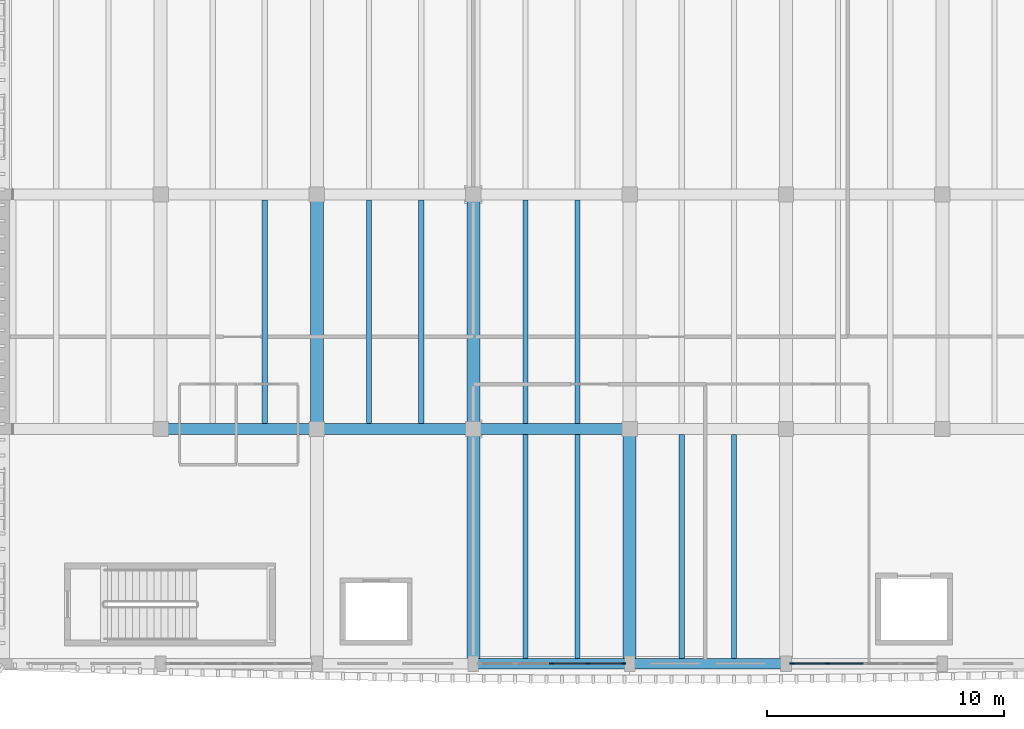
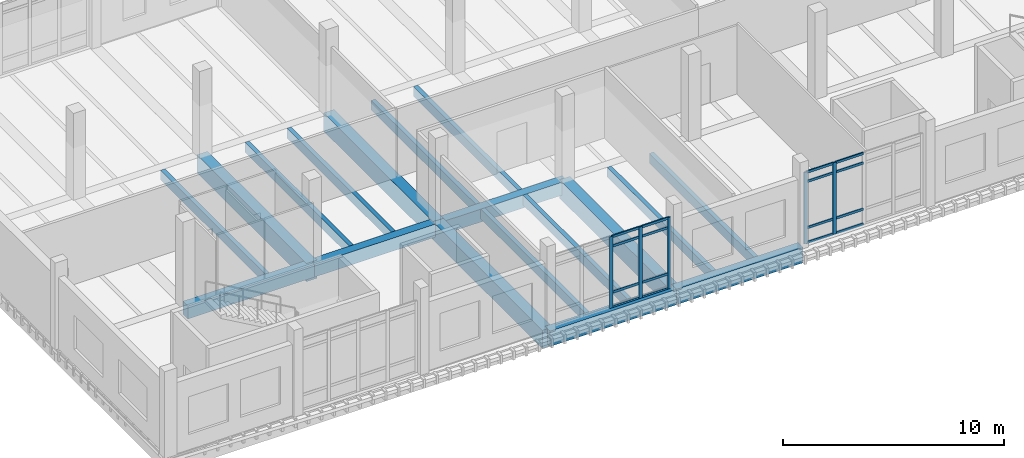
# One storey, part 9 of 39: 21 members, 18 beams, 2 elements without a shape of their own.
"""IFC4 building model written with IfcOpenShell, lengths in metres."""

import ifcopenshell
import ifcopenshell.guid

model = None  # the IFC model being written
_history = None  # IfcOwnerHistory: only IFC2X3 demands one
_inside = {}  # id of a spatial element -> (the spatial element, [elements in it])
_under = {}  # id of a project, library or spatial element -> (it, [spatial elements below it])
_declared = {}  # id of a project -> (the project, [libraries it declares])
_typed = {}  # id of a type object -> (the type object, [elements of that type])
_made_of = {}  # id of a material, layer set ... -> (it, [elements and type objects made of it])


def new_model(schema):
    """Start an empty IFC model of exactly this schema.

    Asked for "IFC4X3", IfcOpenShell would pick the latest addendum, in which some entities
    have other attributes; the version numbers below select the first issue.
    IFC2X3 requires an IfcOwnerHistory on every rooted entity: one is made here for all.
    """
    global model, _history
    if schema == "IFC4X3":
        model = ifcopenshell.file(schema_version=(4, 3, 0, 0))
    else:
        model = ifcopenshell.file(schema=schema)
    _inside.clear()
    _under.clear()
    _declared.clear()
    _typed.clear()
    _made_of.clear()
    _history = None
    if model.schema == "IFC2X3":
        org = make("IfcOrganization", Name="unknown")
        user = make(
            "IfcPersonAndOrganization",
            ThePerson=make("IfcPerson", FamilyName="unknown"),
            TheOrganization=org,
        )
        app = make(
            "IfcApplication",
            ApplicationDeveloper=org,
            Version="unknown",
            ApplicationFullName="unknown",
            ApplicationIdentifier="unknown",
        )
        _history = make(
            "IfcOwnerHistory",
            OwningUser=user,
            OwningApplication=app,
            ChangeAction="ADDED",
            CreationDate=0,
        )
    return model


def make(cls, **values):
    """One entity of the class cls with the attributes given. An attribute that is None is left unset."""
    return model.create_entity(
        cls, **{name: value for name, value in values.items() if value is not None}
    )


def rooted(cls, **values):
    """An entity with a GlobalId (a new one), such as an element, a storey or a relation."""
    return make(cls, GlobalId=ifcopenshell.guid.new(), OwnerHistory=_history, **values)


def si_unit(unit_type, name, prefix=None):
    """IfcSIUnit, for example si_unit("LENGTHUNIT", "METRE", prefix="MILLI")."""
    return make("IfcSIUnit", UnitType=unit_type, Prefix=prefix, Name=name)


def assignment(units):
    """IfcUnitAssignment: the units of a project."""
    return None if units is None else make("IfcUnitAssignment", Units=units)


def point(xyz):
    """IfcCartesianPoint."""
    return None if xyz is None else make("IfcCartesianPoint", Coordinates=xyz)


def direction(xyz):
    """IfcDirection."""
    return None if xyz is None else make("IfcDirection", DirectionRatios=xyz)


def frame(location, z_axis=None, x_axis=None):
    """IfcAxis2Placement3D, a coordinate frame: its origin and axes. An axis left out is left unset."""
    return make(
        "IfcAxis2Placement3D",
        Location=point(location),
        Axis=direction(z_axis),
        RefDirection=direction(x_axis),
    )


def frame_2d(location, x_axis=None):
    """IfcAxis2Placement2D, a coordinate frame in the plane: its origin and x axis."""
    return make(
        "IfcAxis2Placement2D", Location=point(location), RefDirection=direction(x_axis)
    )


def origin():
    """The frame at (0, 0, 0) with its axes left unset."""
    return frame((0.0, 0.0, 0.0))


def origin_2d():
    """The frame at (0, 0) in the plane with its x axis left unset."""
    return frame_2d((0.0, 0.0))


def place(relative_to, where):
    """IfcLocalPlacement: puts the frame where relative to a parent placement (None: the world)."""
    return make(
        "IfcLocalPlacement", PlacementRelTo=relative_to, RelativePlacement=where
    )


def context(
    kind, dimensions, precision=None, world=None, true_north=None, identifier=None
):
    """IfcGeometricRepresentationContext, for example the 3D "Model" context."""
    return make(
        "IfcGeometricRepresentationContext",
        ContextIdentifier=identifier,
        ContextType=kind,
        CoordinateSpaceDimension=dimensions,
        Precision=precision,
        WorldCoordinateSystem=world,
        TrueNorth=true_north,
    )


def subcontext(parent, identifier, kind, view, scale=None):
    """IfcGeometricRepresentationSubContext, for example "Body" below "Model"."""
    return make(
        "IfcGeometricRepresentationSubContext",
        ContextIdentifier=identifier,
        ContextType=kind,
        ParentContext=parent,
        TargetScale=scale,
        TargetView=view,
    )


def project(units=None, contexts=None):
    """IfcProject with its units and contexts."""
    return rooted(
        "IfcProject",
        Name="project",
        RepresentationContexts=contexts,
        UnitsInContext=assignment(units),
    )


def spatial(cls, under=None, at=None, **own):
    """A site, building, storey or space (cls), placed at a placement, below another one or the project."""
    s = rooted(cls, ObjectPlacement=at, **own)
    if under is not None:
        _under.setdefault(under.id(), (under, []))[1].append(s)
    return s


def profile(cls, at=None, kind="AREA", **sizes):
    """A parametric profile (cls). Its sizes go by their IFC names, for example OverallWidth=200.0."""
    return make(cls, ProfileType=kind, Position=at, **sizes)


def rectangle(**sizes):
    """IfcRectangleProfileDef."""
    return profile("IfcRectangleProfileDef", **sizes)


def extrude(swept, where, along, depth):
    """IfcExtrudedAreaSolid: the profile swept, set in the frame where, extruded along a direction by depth."""
    return make(
        "IfcExtrudedAreaSolid",
        SweptArea=swept,
        Position=where,
        ExtrudedDirection=direction(along),
        Depth=depth,
    )


def shape(context_of_items, identifier, shape_type, items):
    """IfcShapeRepresentation: the items that make up one representation, for example the "Body"."""
    return make(
        "IfcShapeRepresentation",
        ContextOfItems=context_of_items,
        RepresentationIdentifier=identifier,
        RepresentationType=shape_type,
        Items=items,
    )


def material(Name=None, Category=None):
    """IfcMaterial."""
    return make("IfcMaterial", Name=Name, Category=Category)


def material_profile(
    of_material, cross_section, Name=None, Category=None, Priority=None
):
    """IfcMaterialProfile: a cross section and its material."""
    return make(
        "IfcMaterialProfile",
        Name=Name,
        Material=of_material,
        Profile=cross_section,
        Priority=Priority,
        Category=Category,
    )


def profile_set(profiles, Name=None, composite=None):
    """IfcMaterialProfileSet."""
    return make(
        "IfcMaterialProfileSet",
        Name=Name,
        MaterialProfiles=profiles,
        CompositeProfile=composite,
    )


def made_of(thing, what):
    """Note that an element or type object is made of a material, layer set ...; save() writes the relation."""
    if what is not None:
        _made_of.setdefault(what.id(), (what, []))[1].append(thing)
    return thing


def type_object(cls, material=None, **own):
    """A type object (cls), such as IfcWallType, which elements share."""
    return made_of(rooted(cls, **own), material)


def element(
    cls,
    number,
    at=None,
    inside=None,
    cuts=None,
    type_object=None,
    material=None,
    context=None,
    identifier="Body",
    shape_type=None,
    held_by="IfcProductDefinitionShape",
    body=None,
    shapes=None,
    **own,
):
    """One element of the class cls, such as IfcWall. Its Tag is "e" and its number.

    at: its placement. inside: the storey or other place that contains it. cuts: it is an
    opening in that element (IfcRelVoidsElement). A single representation is given by context,
    identifier, shape_type and body (its items); several are given by shapes. held_by: the class
    of the entity that holds the representations. save() writes the other relations.
    """
    e = rooted(cls, Tag="e%d" % number, ObjectPlacement=at, **own)
    if body is not None:
        shapes = [shape(context, identifier, shape_type, body)]
    if shapes is not None:
        e.Representation = make(held_by, Representations=shapes)
    if inside is not None:
        _inside.setdefault(inside.id(), (inside, []))[1].append(e)
    if cuts is not None:
        rooted(
            "IfcRelVoidsElement", RelatingBuildingElement=cuts, RelatedOpeningElement=e
        )
    if type_object is not None:
        _typed.setdefault(type_object.id(), (type_object, []))[1].append(e)
    return made_of(e, material)


def aggregate(whole, parts):
    """IfcRelAggregates: a whole, such as a stair, and the parts it consists of."""
    return rooted("IfcRelAggregates", RelatingObject=whole, RelatedObjects=parts)


def save(model, path):
    """Write the relations noted so far, then the file.

    IfcRelAggregates (storeys below a building ...), IfcRelContainedInSpatialStructure (elements
    in a storey), IfcRelDefinesByType, IfcRelAssociatesMaterial and IfcRelDeclares: one each for
    every whole, place, type object, material and project.
    """
    for whole, parts in _under.values():
        aggregate(whole, parts)
    for where, things in _inside.values():
        rooted(
            "IfcRelContainedInSpatialStructure",
            RelatedElements=things,
            RelatingStructure=where,
        )
    for kind, things in _typed.values():
        rooted("IfcRelDefinesByType", RelatedObjects=things, RelatingType=kind)
    for what, things in _made_of.values():
        rooted("IfcRelAssociatesMaterial", RelatedObjects=things, RelatingMaterial=what)
    for by, libraries in _declared.values():
        rooted("IfcRelDeclares", RelatingContext=by, RelatedDefinitions=libraries)
    model.write(path)


model = new_model("IFC4")

# Units and contexts
model_context = context("Model", 3, precision=1e-05, world=origin(), true_north=direction((0.0, 1.0)))
body_context = subcontext(model_context, "Body", "Model", "MODEL_VIEW")
ifc_project = project(units=[si_unit("LENGTHUNIT", "METRE"), si_unit("AREAUNIT", "SQUARE_METRE"), si_unit("VOLUMEUNIT", "CUBIC_METRE"), si_unit("PLANEANGLEUNIT", "RADIAN"), si_unit("MASSUNIT", "GRAM", prefix="KILO")], contexts=[model_context])

# Site, building, storey
site_placement = place(None, origin())
site = spatial("IfcSite", under=ifc_project, at=site_placement, CompositionType="ELEMENT")
building_placement = place(site_placement, origin())
building = spatial("IfcBuilding", under=site, at=building_placement, Name="Dornvale Research Institute", CompositionType="ELEMENT")
storey_placement = place(building_placement, frame((0.0, 0.0, 24.60009765625)))
storey = spatial("IfcBuildingStorey", under=building, at=storey_placement, Name="L05", CompositionType="ELEMENT", Elevation=24.60009765625)

# Beams
ifc_material_1 = material(Name="Concrete f'c 45 MPa (C35/45)", Category="concrete")
ifc_material_profile_1 = material_profile(ifc_material_1, rectangle(XDim=0.449951171875, YDim=0.715087890625, at=origin_2d()), Name="RC 450x715")
ifc_profile_set_1 = profile_set([ifc_material_profile_1], Name="Concrete f'c 45 MPa (C35/45)")
beam_type_1 = type_object("IfcBeamType", Name="Beam_RC450x715_Lab", PredefinedType="BEAM", material=ifc_profile_set_1)
for number, where, z_axis, x_axis, name in (
    (1, (125.39990234375, 102.300048828125, -0.357666015625), (1.0, 0.0, 0.0), (0.0, 1.0, 0.0), "L05 primary girder #1390"),
    (2, (132.0, 102.300048828125, -0.357666015625), (1.0, 0.0, 0.0), (0.0, 1.0, 0.0), "L05 primary girder #1391"),
):
    element("IfcBeam", number, at=place(storey_placement, frame(where, z_axis=z_axis, x_axis=x_axis)), inside=storey, type_object=beam_type_1, Name=name, PredefinedType="BEAM", context=body_context, shape_type="SweptSolid", body=[
        extrude(rectangle(XDim=0.449951171875, YDim=0.715087890625, at=origin_2d()), origin(), (0.0, 0.0, 1.0), 6.60009765625),
    ])
beam_1_placement = place(storey_placement, frame((138.60009765625, 102.300048828125, -0.357666015625), z_axis=(1.0, 0.0, 0.0), x_axis=(0.0, 1.0, 0.0)))
element("IfcBeam", 3, at=beam_1_placement, inside=storey, type_object=beam_type_1, Name="L05 primary girder #1392", PredefinedType="BEAM", context=body_context, shape_type="SweptSolid", body=[
    extrude(rectangle(XDim=0.449951171875, YDim=0.715087890625, at=origin_2d()), origin(), (0.0, 0.0, 1.0), 6.599853515625),
])
ifc_material_2 = material(Name="Concrete f'c 45 MPa (C35/45)", Category="concrete")
ifc_material_profile_2 = material_profile(ifc_material_2, rectangle(XDim=0.550048828125, YDim=1.0, at=origin_2d()), Name="RC 550x1000")
ifc_profile_set_2 = profile_set([ifc_material_profile_2], Name="Concrete f'c 45 MPa (C35/45)")
beam_type_2 = type_object("IfcBeamType", Name="Beam_RC550x1000_Girder", PredefinedType="BEAM", material=ifc_profile_set_2)
beam_2_placement = place(storey_placement, frame((132.0, 102.300048828125, -0.5), z_axis=(0.0, 1.0, 0.0), x_axis=(-1.0, 0.0, 0.0)))
element("IfcBeam", 4, at=beam_2_placement, inside=storey, type_object=beam_type_2, Name="L05 transverse girder #1419", PredefinedType="BEAM", context=body_context, shape_type="SweptSolid", body=[
    extrude(rectangle(XDim=0.550048828125, YDim=1.0, at=origin_2d()), origin(), (0.0, 0.0, 1.0), 9.89990234375),
])
beam_3_placement = place(storey_placement, frame((138.60009765625, 92.39990234375, -0.5), z_axis=(0.0, 1.0, 0.0), x_axis=(-1.0, 0.0, 0.0)))
element("IfcBeam", 5, at=beam_3_placement, inside=storey, type_object=beam_type_2, Name="L05 transverse girder #1421", PredefinedType="BEAM", context=body_context, shape_type="SweptSolid", body=[
    extrude(rectangle(XDim=0.550048828125, YDim=1.0, at=origin_2d()), origin(), (0.0, 0.0, 1.0), 9.900146484375),
])
beam_4_placement = place(storey_placement, frame((138.60009765625, 102.300048828125, -0.5), z_axis=(0.0, 1.0, 0.0), x_axis=(-1.0, 0.0, 0.0)))
element("IfcBeam", 6, at=beam_4_placement, inside=storey, type_object=beam_type_2, Name="L05 transverse girder #1422", PredefinedType="BEAM", context=body_context, shape_type="SweptSolid", body=[
    extrude(rectangle(XDim=0.550048828125, YDim=1.0, at=origin_2d()), origin(), (0.0, 0.0, 1.0), 9.89990234375),
])
beam_5_placement = place(storey_placement, frame((145.199951171875, 92.39990234375, -0.5), z_axis=(0.0, 1.0, 0.0), x_axis=(-1.0, 0.0, 0.0)))
element("IfcBeam", 7, at=beam_5_placement, inside=storey, type_object=beam_type_2, Name="L05 transverse girder #1424", PredefinedType="BEAM", context=body_context, shape_type="SweptSolid", body=[
    extrude(rectangle(XDim=0.550048828125, YDim=1.0, at=origin_2d()), origin(), (0.0, 0.0, 1.0), 9.900146484375),
])
ifc_material_3 = material(Name="Concrete f'c 45 MPa (C35/45)", Category="concrete")
ifc_material_profile_3 = material_profile(ifc_material_3, rectangle(XDim=0.219970703125, YDim=0.534912109375, at=origin_2d()), Name="RC 220x535")
ifc_profile_set_3 = profile_set([ifc_material_profile_3], Name="Concrete f'c 45 MPa (C35/45)")
beam_type_3 = type_object("IfcBeamType", Name="Joist_RC220x535_Waffle", PredefinedType="JOIST", material=ifc_profile_set_3)
for number, where, z_axis, x_axis, name in (
    (8, (129.800048828125, 102.52490234375, -0.267578125), (0.0, 1.0, 0.0), (-1.0, 0.0, 0.0), "L05 laboratory waffle joist #663"),
    (9, (134.199951171875, 102.52490234375, -0.267578125), (0.0, 1.0, 0.0), (-1.0, 0.0, 0.0), "L05 laboratory waffle joist #666"),
    (10, (136.39990234375, 102.52490234375, -0.267578125), (0.0, 1.0, 0.0), (-1.0, 0.0, 0.0), "L05 laboratory waffle joist #667"),
):
    element("IfcBeam", number, at=place(storey_placement, frame(where, z_axis=z_axis, x_axis=x_axis)), inside=storey, type_object=beam_type_3, Name=name, PredefinedType="JOIST", context=body_context, shape_type="SweptSolid", body=[
        extrude(rectangle(XDim=0.219970703125, YDim=0.534912109375, at=origin_2d()), origin(), (0.0, 0.0, 1.0), 9.4501953125),
    ])
for number, where, z_axis, x_axis, name in (
    (11, (140.800048828125, 92.625, -0.267578125), (0.0, 1.0, 0.0), (-1.0, 0.0, 0.0), "L05 laboratory waffle joist #670"),
    (12, (143.0, 92.625, -0.267578125), (0.0, 1.0, 0.0), (-1.0, 0.0, 0.0), "L05 laboratory waffle joist #671"),
):
    element("IfcBeam", number, at=place(storey_placement, frame(where, z_axis=z_axis, x_axis=x_axis)), inside=storey, type_object=beam_type_3, Name=name, PredefinedType="JOIST", context=body_context, shape_type="SweptSolid", body=[
        extrude(rectangle(XDim=0.219970703125, YDim=0.534912109375, at=origin_2d()), origin(), (0.0, 0.0, 1.0), 9.449951171875),
    ])
for number, where, z_axis, x_axis, name in (
    (13, (140.800048828125, 102.52490234375, -0.267578125), (0.0, 1.0, 0.0), (-1.0, 0.0, 0.0), "L05 laboratory waffle joist #672"),
    (14, (143.0, 102.52490234375, -0.267578125), (0.0, 1.0, 0.0), (-1.0, 0.0, 0.0), "L05 laboratory waffle joist #673"),
):
    element("IfcBeam", number, at=place(storey_placement, frame(where, z_axis=z_axis, x_axis=x_axis)), inside=storey, type_object=beam_type_3, Name=name, PredefinedType="JOIST", context=body_context, shape_type="SweptSolid", body=[
        extrude(rectangle(XDim=0.219970703125, YDim=0.534912109375, at=origin_2d()), origin(), (0.0, 0.0, 1.0), 9.4501953125),
    ])
for number, where, z_axis, x_axis, name in (
    (15, (147.39990234375, 92.625, -0.267578125), (0.0, 1.0, 0.0), (-1.0, 0.0, 0.0), "L05 laboratory waffle joist #676"),
    (16, (149.60009765625, 92.625, -0.267578125), (0.0, 1.0, 0.0), (-1.0, 0.0, 0.0), "L05 laboratory waffle joist #677"),
):
    element("IfcBeam", number, at=place(storey_placement, frame(where, z_axis=z_axis, x_axis=x_axis)), inside=storey, type_object=beam_type_3, Name=name, PredefinedType="JOIST", context=body_context, shape_type="SweptSolid", body=[
        extrude(rectangle(XDim=0.219970703125, YDim=0.534912109375, at=origin_2d()), origin(), (0.0, 0.0, 1.0), 9.449951171875),
    ])

# Curtain wall, members
ifc_material_4 = material(Name="Low-E Argon Double Insulating Glazing Unit", Category="glass")
curtain_wall_type = type_object("IfcCurtainWallType", Name="UnitisedCurtainWall_V4_6150x3950", PredefinedType="USERDEFINED", material=ifc_material_4)
curtain_wall_1_placement = place(storey_placement, origin())
curtain_wall_1 = element("IfcCurtainWall", 17, at=curtain_wall_1_placement, inside=storey, type_object=curtain_wall_type, Name="L05 V4 unitised curtain wall CW-15 #114", ObjectType="UNITISED CURTAIN WALL", PredefinedType="USERDEFINED")
ifc_material_5 = material(Name="Anodized Aluminum AA 6063-T6 Thermally Broken Frame", Category="aluminium")
ifc_material_profile_4 = material_profile(ifc_material_5, rectangle(XDim=0.06494140625, YDim=0.179931640625, at=origin_2d()), Name="ALU MULLION 65x180")
ifc_profile_set_4 = profile_set([ifc_material_profile_4], Name="Anodized Aluminum AA 6063-T6 Thermally Broken Frame")
member_type_1 = type_object("IfcMemberType", Name="Mullion_CW_65x180", PredefinedType="MULLION", material=ifc_profile_set_4)
member_1_placement = place(storey_placement, frame((153.5625, 92.39990234375, 0.0), z_axis=(0.0, 0.0, 1.0), x_axis=(0.0, -1.0, 0.0)))
member_1 = element("IfcMember", 18, at=member_1_placement, type_object=member_type_1, Name="CW-15 mullion 4", PredefinedType="MULLION", context=body_context, shape_type="SweptSolid", body=[
    extrude(rectangle(XDim=0.06494140625, YDim=0.179931640625, at=origin_2d()), origin(), (0.0, 0.0, 1.0), 3.949951171875),
])
member_2_placement = place(storey_placement, frame((152.0576171875, 92.39990234375, 0.0), z_axis=(0.0, 0.0, 1.0), x_axis=(0.0, -1.0, 0.0)))
member_2 = element("IfcMember", 19, at=member_2_placement, type_object=member_type_1, Name="CW-15 mullion 5", PredefinedType="MULLION", context=body_context, shape_type="SweptSolid", body=[
    extrude(rectangle(XDim=0.06494140625, YDim=0.179931640625, at=origin_2d()), origin(), (0.0, 0.0, 1.0), 3.949951171875),
])

curtain_wall_2_placement = place(storey_placement, origin())
curtain_wall_2 = element("IfcCurtainWall", 20, at=curtain_wall_2_placement, inside=storey, type_object=curtain_wall_type, Name="L05 V4 unitised curtain wall CW-15 #115", ObjectType="UNITISED CURTAIN WALL", PredefinedType="USERDEFINED")
member_3_placement = place(storey_placement, frame((144.9423828125, 92.39990234375, 0.0), z_axis=(0.0, 0.0, 1.0), x_axis=(0.0, -1.0, 0.0)))
member_3 = element("IfcMember", 21, at=member_3_placement, type_object=member_type_1, Name="CW-15 mullion 1", PredefinedType="MULLION", context=body_context, shape_type="SweptSolid", body=[
    extrude(rectangle(XDim=0.06494140625, YDim=0.179931640625, at=origin_2d()), origin(), (0.0, 0.0, 1.0), 3.949951171875),
])
member_4_placement = place(storey_placement, frame((143.4375, 92.39990234375, 0.0), z_axis=(0.0, 0.0, 1.0), x_axis=(0.0, -1.0, 0.0)))
member_4 = element("IfcMember", 22, at=member_4_placement, type_object=member_type_1, Name="CW-15 mullion 2", PredefinedType="MULLION", context=body_context, shape_type="SweptSolid", body=[
    extrude(rectangle(XDim=0.06494140625, YDim=0.179931640625, at=origin_2d()), origin(), (0.0, 0.0, 1.0), 3.949951171875),
])
member_5_placement = place(storey_placement, frame((141.89990234375, 92.39990234375, 0.0), z_axis=(0.0, 0.0, 1.0), x_axis=(0.0, -1.0, 0.0)))
member_5 = element("IfcMember", 23, at=member_5_placement, type_object=member_type_1, Name="CW-15 mullion 3", PredefinedType="MULLION", context=body_context, shape_type="SweptSolid", body=[
    extrude(rectangle(XDim=0.06494140625, YDim=0.179931640625, at=origin_2d()), origin(), (0.0, 0.0, 1.0), 3.949951171875),
])

# Beams
ifc_material_6 = material(Name="Concrete f'c 45 MPa (C35/45)", Category="concrete")
ifc_material_profile_5 = material_profile(ifc_material_6, rectangle(XDim=0.449951171875, YDim=0.85009765625, at=origin_2d()), Name="RC 450x850")
ifc_profile_set_5 = profile_set([ifc_material_profile_5], Name="Concrete f'c 45 MPa (C35/45)")
beam_type_4 = type_object("IfcBeamType", Name="Spandrel_RC450x850_Ext", PredefinedType="SPANDREL", material=ifc_profile_set_5)
beam_6_placement = place(storey_placement, frame((138.60009765625, 92.39990234375, -0.425048828125), z_axis=(1.0, 0.0, 0.0), x_axis=(0.0, 1.0, 0.0)))
element("IfcBeam", 24, at=beam_6_placement, inside=storey, type_object=beam_type_4, Name="L05 perimeter spandrel #1384", PredefinedType="SPANDREL", context=body_context, shape_type="SweptSolid", body=[
    extrude(rectangle(XDim=0.449951171875, YDim=0.85009765625, at=origin_2d()), origin(), (0.0, 0.0, 1.0), 6.599853515625),
])
beam_7_placement = place(storey_placement, frame((145.199951171875, 92.39990234375, -0.425048828125), z_axis=(1.0, 0.0, 0.0), x_axis=(0.0, 1.0, 0.0)))
element("IfcBeam", 25, at=beam_7_placement, inside=storey, type_object=beam_type_4, Name="L05 perimeter spandrel #1385", PredefinedType="SPANDREL", context=body_context, shape_type="SweptSolid", body=[
    extrude(rectangle(XDim=0.449951171875, YDim=0.85009765625, at=origin_2d()), origin(), (0.0, 0.0, 1.0), 6.60009765625),
])

# Member
ifc_material_7 = material(Name="Anodized Aluminum AA 6063-T6 Thermally Broken Frame", Category="aluminium")
ifc_material_profile_6 = material_profile(ifc_material_7, rectangle(XDim=0.06494140625, YDim=0.135009765625, at=origin_2d()), Name="ALU TRANSOM 65x135")
ifc_profile_set_6 = profile_set([ifc_material_profile_6], Name="Anodized Aluminum AA 6063-T6 Thermally Broken Frame")
member_type_2 = type_object("IfcMemberType", Name="Transom_CW_65x135", PredefinedType="USERDEFINED", material=ifc_profile_set_6)
member_6_placement = place(storey_placement, frame((155.0673828125, 92.39990234375, 0.032470703125), z_axis=(-1.0, 0.0, 0.0), x_axis=(0.0, -1.0, 0.0)))
member_6 = element("IfcMember", 26, at=member_6_placement, type_object=member_type_2, Name="CW-15 transom 3.1", ObjectType="TRANSOM", PredefinedType="USERDEFINED", context=body_context, shape_type="SweptSolid", body=[
    extrude(rectangle(XDim=0.06494140625, YDim=0.135009765625, at=origin_2d()), origin(), (0.0, 0.0, 1.0), 1.472412109375),
])

member_7_placement = place(storey_placement, frame((155.0673828125, 92.39990234375, 0.849853515625), z_axis=(-1.0, 0.0, 0.0), x_axis=(0.0, -1.0, 0.0)))
member_7 = element("IfcMember", 27, at=member_7_placement, type_object=member_type_2, Name="CW-15 transom 3.2", ObjectType="TRANSOM", PredefinedType="USERDEFINED", context=body_context, shape_type="SweptSolid", body=[
    extrude(rectangle(XDim=0.06494140625, YDim=0.135009765625, at=origin_2d()), origin(), (0.0, 0.0, 1.0), 1.472412109375),
])

member_8_placement = place(storey_placement, frame((155.0673828125, 92.39990234375, 3.39990234375), z_axis=(-1.0, 0.0, 0.0), x_axis=(0.0, -1.0, 0.0)))
member_8 = element("IfcMember", 28, at=member_8_placement, type_object=member_type_2, Name="CW-15 transom 3.3", ObjectType="TRANSOM", PredefinedType="USERDEFINED", context=body_context, shape_type="SweptSolid", body=[
    extrude(rectangle(XDim=0.06494140625, YDim=0.135009765625, at=origin_2d()), origin(), (0.0, 0.0, 1.0), 1.472412109375),
])

member_9_placement = place(storey_placement, frame((155.0673828125, 92.39990234375, 3.91748046875), z_axis=(-1.0, 0.0, 0.0), x_axis=(0.0, -1.0, 0.0)))
member_9 = element("IfcMember", 29, at=member_9_placement, type_object=member_type_2, Name="CW-15 transom 3.4", ObjectType="TRANSOM", PredefinedType="USERDEFINED", context=body_context, shape_type="SweptSolid", body=[
    extrude(rectangle(XDim=0.06494140625, YDim=0.135009765625, at=origin_2d()), origin(), (0.0, 0.0, 1.0), 1.472412109375),
])

member_10_placement = place(storey_placement, frame((153.530029296875, 92.39990234375, 0.032470703125), z_axis=(-1.0, 0.0, 0.0), x_axis=(0.0, -1.0, 0.0)))
member_10 = element("IfcMember", 30, at=member_10_placement, type_object=member_type_2, Name="CW-15 transom 4.1", ObjectType="TRANSOM", PredefinedType="USERDEFINED", context=body_context, shape_type="SweptSolid", body=[
    extrude(rectangle(XDim=0.06494140625, YDim=0.135009765625, at=origin_2d()), origin(), (0.0, 0.0, 1.0), 1.43994140625),
])

member_11_placement = place(storey_placement, frame((153.530029296875, 92.39990234375, 0.849853515625), z_axis=(-1.0, 0.0, 0.0), x_axis=(0.0, -1.0, 0.0)))
member_11 = element("IfcMember", 31, at=member_11_placement, type_object=member_type_2, Name="CW-15 transom 4.2", ObjectType="TRANSOM", PredefinedType="USERDEFINED", context=body_context, shape_type="SweptSolid", body=[
    extrude(rectangle(XDim=0.06494140625, YDim=0.135009765625, at=origin_2d()), origin(), (0.0, 0.0, 1.0), 1.43994140625),
])

member_12_placement = place(storey_placement, frame((153.530029296875, 92.39990234375, 3.39990234375), z_axis=(-1.0, 0.0, 0.0), x_axis=(0.0, -1.0, 0.0)))
member_12 = element("IfcMember", 32, at=member_12_placement, type_object=member_type_2, Name="CW-15 transom 4.3", ObjectType="TRANSOM", PredefinedType="USERDEFINED", context=body_context, shape_type="SweptSolid", body=[
    extrude(rectangle(XDim=0.06494140625, YDim=0.135009765625, at=origin_2d()), origin(), (0.0, 0.0, 1.0), 1.43994140625),
])

member_13_placement = place(storey_placement, frame((153.530029296875, 92.39990234375, 3.91748046875), z_axis=(-1.0, 0.0, 0.0), x_axis=(0.0, -1.0, 0.0)))
member_13 = element("IfcMember", 33, at=member_13_placement, type_object=member_type_2, Name="CW-15 transom 4.4", ObjectType="TRANSOM", PredefinedType="USERDEFINED", context=body_context, shape_type="SweptSolid", body=[
    extrude(rectangle(XDim=0.06494140625, YDim=0.135009765625, at=origin_2d()), origin(), (0.0, 0.0, 1.0), 1.43994140625),
])

aggregate(curtain_wall_1, [member_1, member_2, member_6, member_7, member_8, member_9, member_10, member_11, member_12, member_13])

member_14_placement = place(storey_placement, frame((144.909912109375, 92.39990234375, 0.032470703125), z_axis=(-1.0, 0.0, 0.0), x_axis=(0.0, -1.0, 0.0)))
member_14 = element("IfcMember", 34, at=member_14_placement, type_object=member_type_2, Name="CW-15 transom 1.1", ObjectType="TRANSOM", PredefinedType="USERDEFINED", context=body_context, shape_type="SweptSolid", body=[
    extrude(rectangle(XDim=0.06494140625, YDim=0.135009765625, at=origin_2d()), origin(), (0.0, 0.0, 1.0), 1.43994140625),
])

member_15_placement = place(storey_placement, frame((144.909912109375, 92.39990234375, 0.849853515625), z_axis=(-1.0, 0.0, 0.0), x_axis=(0.0, -1.0, 0.0)))
member_15 = element("IfcMember", 35, at=member_15_placement, type_object=member_type_2, Name="CW-15 transom 1.2", ObjectType="TRANSOM", PredefinedType="USERDEFINED", context=body_context, shape_type="SweptSolid", body=[
    extrude(rectangle(XDim=0.06494140625, YDim=0.135009765625, at=origin_2d()), origin(), (0.0, 0.0, 1.0), 1.43994140625),
])

member_16_placement = place(storey_placement, frame((144.909912109375, 92.39990234375, 3.39990234375), z_axis=(-1.0, 0.0, 0.0), x_axis=(0.0, -1.0, 0.0)))
member_16 = element("IfcMember", 36, at=member_16_placement, type_object=member_type_2, Name="CW-15 transom 1.3", ObjectType="TRANSOM", PredefinedType="USERDEFINED", context=body_context, shape_type="SweptSolid", body=[
    extrude(rectangle(XDim=0.06494140625, YDim=0.135009765625, at=origin_2d()), origin(), (0.0, 0.0, 1.0), 1.43994140625),
])

member_17_placement = place(storey_placement, frame((144.909912109375, 92.39990234375, 3.91748046875), z_axis=(-1.0, 0.0, 0.0), x_axis=(0.0, -1.0, 0.0)))
member_17 = element("IfcMember", 37, at=member_17_placement, type_object=member_type_2, Name="CW-15 transom 1.4", ObjectType="TRANSOM", PredefinedType="USERDEFINED", context=body_context, shape_type="SweptSolid", body=[
    extrude(rectangle(XDim=0.06494140625, YDim=0.135009765625, at=origin_2d()), origin(), (0.0, 0.0, 1.0), 1.43994140625),
])

member_18_placement = place(storey_placement, frame((143.405029296875, 92.39990234375, 0.032470703125), z_axis=(-1.0, 0.0, 0.0), x_axis=(0.0, -1.0, 0.0)))
member_18 = element("IfcMember", 38, at=member_18_placement, type_object=member_type_2, Name="CW-15 transom 2.1", ObjectType="TRANSOM", PredefinedType="USERDEFINED", context=body_context, shape_type="SweptSolid", body=[
    extrude(rectangle(XDim=0.06494140625, YDim=0.135009765625, at=origin_2d()), origin(), (0.0, 0.0, 1.0), 1.472412109375),
])

member_19_placement = place(storey_placement, frame((143.405029296875, 92.39990234375, 0.849853515625), z_axis=(-1.0, 0.0, 0.0), x_axis=(0.0, -1.0, 0.0)))
member_19 = element("IfcMember", 39, at=member_19_placement, type_object=member_type_2, Name="CW-15 transom 2.2", ObjectType="TRANSOM", PredefinedType="USERDEFINED", context=body_context, shape_type="SweptSolid", body=[
    extrude(rectangle(XDim=0.06494140625, YDim=0.135009765625, at=origin_2d()), origin(), (0.0, 0.0, 1.0), 1.472412109375),
])

member_20_placement = place(storey_placement, frame((143.405029296875, 92.39990234375, 3.39990234375), z_axis=(-1.0, 0.0, 0.0), x_axis=(0.0, -1.0, 0.0)))
member_20 = element("IfcMember", 40, at=member_20_placement, type_object=member_type_2, Name="CW-15 transom 2.3", ObjectType="TRANSOM", PredefinedType="USERDEFINED", context=body_context, shape_type="SweptSolid", body=[
    extrude(rectangle(XDim=0.06494140625, YDim=0.135009765625, at=origin_2d()), origin(), (0.0, 0.0, 1.0), 1.472412109375),
])

member_21_placement = place(storey_placement, frame((143.405029296875, 92.39990234375, 3.91748046875), z_axis=(-1.0, 0.0, 0.0), x_axis=(0.0, -1.0, 0.0)))
member_21 = element("IfcMember", 41, at=member_21_placement, type_object=member_type_2, Name="CW-15 transom 2.4", ObjectType="TRANSOM", PredefinedType="USERDEFINED", context=body_context, shape_type="SweptSolid", body=[
    extrude(rectangle(XDim=0.06494140625, YDim=0.135009765625, at=origin_2d()), origin(), (0.0, 0.0, 1.0), 1.472412109375),
])

aggregate(curtain_wall_2, [member_3, member_4, member_5, member_14, member_15, member_16, member_17, member_18, member_19, member_20, member_21])

save(model, "model.ifc")
